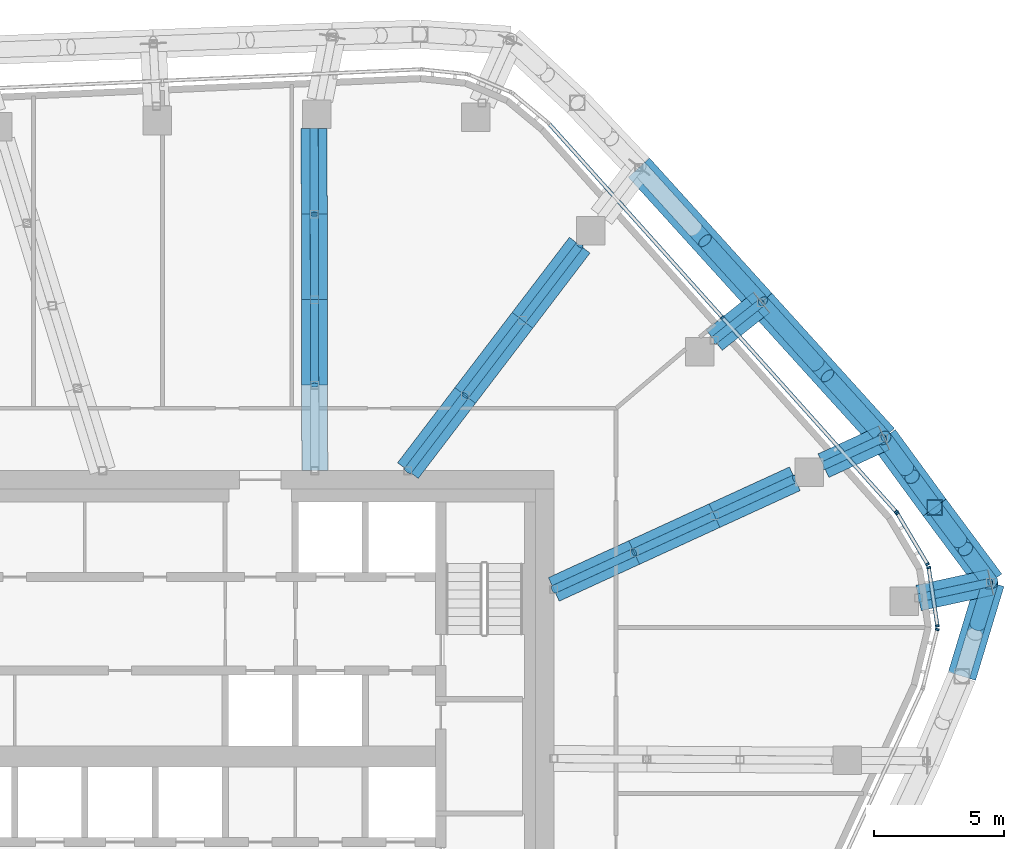
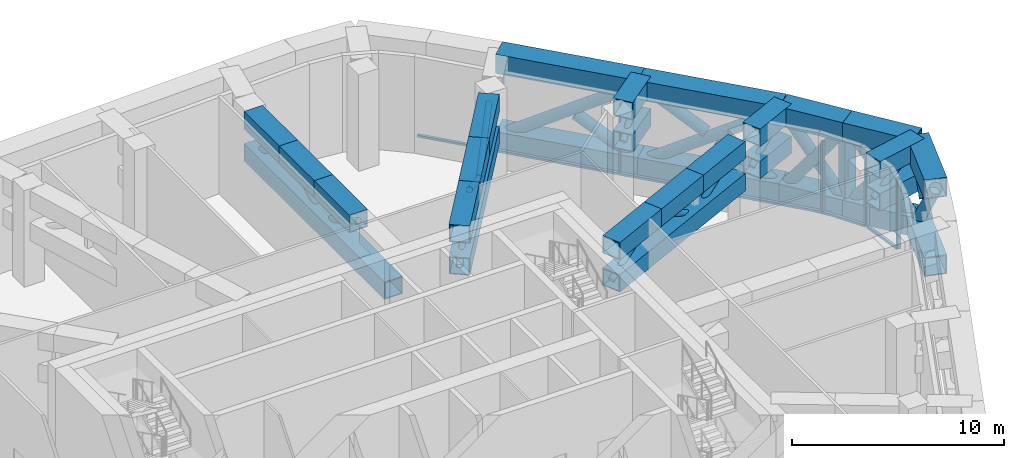
# One storey, part 8 of 31: 64 members, 2 elements without a shape of their own.
"""IFC4 building model written with IfcOpenShell, lengths in metres."""

from ifc_helpers import new_model, si_unit, direction, frame, origin, origin_2d, place, context, subcontext, project, spatial, rectangle, hollow_rectangle, hollow_circle, extrude, material, layer, layer_set, material_profile, profile_set, type_object, element, aggregate, save


model = new_model("IFC4")

# Units and contexts
model_context = context("Model", 3, precision=1e-05, world=origin(), true_north=direction((0.0, 1.0)))
body_context = subcontext(model_context, "Body", "Model", "MODEL_VIEW")
ifc_project = project(units=[si_unit("LENGTHUNIT", "METRE"), si_unit("AREAUNIT", "SQUARE_METRE"), si_unit("VOLUMEUNIT", "CUBIC_METRE"), si_unit("PLANEANGLEUNIT", "RADIAN"), si_unit("MASSUNIT", "GRAM", prefix="KILO")], contexts=[model_context])

# Site, building, storey
site_placement = place(None, origin())
site = spatial("IfcSite", under=ifc_project, at=site_placement, CompositionType="ELEMENT")
building_placement = place(site_placement, origin())
building = spatial("IfcBuilding", under=site, at=building_placement, Name="Dongbaek Canopy Tower", CompositionType="ELEMENT")
storey_placement = place(building_placement, frame((0.0, 0.0, 283.199951171875)))
storey = spatial("IfcBuildingStorey", under=building, at=storey_placement, Name="L60", CompositionType="ELEMENT", Elevation=283.199951171875)

# Members
ifc_material_1 = material(Name="Steel S355", Category="steel")
ifc_material_profile_1 = material_profile(ifc_material_1, hollow_circle(Radius=0.304931640625, WallThickness=0.01611328125, at=origin_2d()), Name="BELT BRACE CHS 610.0x16.0 Steel S355")
ifc_profile_set_1 = profile_set([ifc_material_profile_1], Name="Steel S355")
member_type_1 = type_object("IfcMemberType", Name="BELT BRACE CHS 610.0x16.0 Steel S355", PredefinedType="BRACE", material=ifc_profile_set_1)
member_1_placement = place(storey_placement, frame((17.275634765625, 22.666259765625, 0.550048828125), z_axis=(0.567079898999, -0.626019793214, 0.53527526251), x_axis=(0.741134522124, 0.671356552151, 0.0)))
element("IfcMember", 1, at=member_1_placement, inside=storey, type_object=member_type_1, Name="BELT:L60:18:D0:0", PredefinedType="BRACE", context=body_context, shape_type="SweptSolid", body=[
    extrude(hollow_circle(Radius=0.304931640625, WallThickness=0.01611328125, at=origin_2d()), origin(), (0.0, 0.0, 1.0), 8.3134765625),
])
member_2_placement = place(storey_placement, frame((21.989990234375, 17.4619140625, 0.550048828125), z_axis=(-0.567047259465, 0.626046765777, 0.535278294529), x_axis=(-0.741168140449, -0.671319437811, 0.0)))
element("IfcMember", 2, at=member_2_placement, inside=storey, type_object=member_type_1, Name="BELT:L60:18:D0:1", PredefinedType="BRACE", context=body_context, shape_type="SweptSolid", body=[
    extrude(hollow_circle(Radius=0.304931640625, WallThickness=0.01611328125, at=origin_2d()), origin(), (0.0, 0.0, 1.0), 3.8193359375),
])
member_3_placement = place(storey_placement, frame((21.989990234375, 17.4619140625, 0.550048828125), z_axis=(0.566949916113, -0.626100202636, 0.535318903905), x_axis=(0.741253988399, 0.671224645467, 0.0)))
element("IfcMember", 3, at=member_3_placement, inside=storey, type_object=member_type_1, Name="BELT:L60:19:D0:0", PredefinedType="BRACE", context=body_context, shape_type="SweptSolid", body=[
    extrude(hollow_circle(Radius=0.304931640625, WallThickness=0.01611328125, at=origin_2d()), origin(), (0.0, 0.0, 1.0), 8.312744140625),
])
for number, where, z_axis, x_axis, name in (
    (4, (26.702880859375, 12.25732421875, 0.550048828125), (-0.566960514059, 0.626092149588, 0.53531709829), (-0.741243449961, -0.671236283204, 0.0), "BELT:L60:19:D0:1"),
    (5, (21.989990234375, 17.4619140625, 5.0), (0.566960514059, -0.626092149588, -0.53531709829), (0.741243449961, 0.671236283204, 0.0), "BELT:L60:19:D0:2"),
):
    element("IfcMember", number, at=place(storey_placement, frame(where, z_axis=z_axis, x_axis=x_axis)), inside=storey, type_object=member_type_1, Name=name, PredefinedType="BRACE", context=body_context, shape_type="SweptSolid", body=[
        extrude(hollow_circle(Radius=0.304931640625, WallThickness=0.01611328125, at=origin_2d()), origin(), (0.0, 0.0, 1.0), 3.819091796875),
    ])
member_4_placement = place(storey_placement, frame((26.702880859375, 12.25732421875, 0.550048828125), z_axis=(0.352788435667, -0.482378801188, 0.801779902357), x_axis=(0.807167192956, 0.590322896909, 0.0)))
element("IfcMember", 6, at=member_4_placement, inside=storey, type_object=member_type_1, Name="BELT:L60:20:D0:0", PredefinedType="BRACE", context=body_context, shape_type="SweptSolid", body=[
    extrude(hollow_circle(Radius=0.304931640625, WallThickness=0.01611328125, at=origin_2d()), origin(), (0.0, 0.0, 1.0), 5.550048828125),
])
for number, where, z_axis, x_axis, name in (
    (7, (28.660888671875, 9.580078125, 0.550048828125), (-0.352790617016, 0.482379057745, 0.801778788192), (-0.807165603344, -0.590325070431, 0.0), "BELT:L60:20:D0:1"),
    (8, (26.702880859375, 12.25732421875, 5.0), (0.352790617016, -0.482379057745, -0.801778788192), (0.807165603344, 0.590325070431, 0.0), "BELT:L60:20:D0:2"),
):
    element("IfcMember", number, at=place(storey_placement, frame(where, z_axis=z_axis, x_axis=x_axis)), inside=storey, type_object=member_type_1, Name=name, PredefinedType="BRACE", context=body_context, shape_type="SweptSolid", body=[
        extrude(hollow_circle(Radius=0.304931640625, WallThickness=0.01611328125, at=origin_2d()), origin(), (0.0, 0.0, 1.0), 2.456787109375),
    ])
member_5_placement = place(storey_placement, frame((28.660888671875, 9.580078125, 0.550048828125), z_axis=(0.374919829141, -0.504047972504, 0.778055758369), x_axis=(0.802374731452, 0.596820567949, 0.0)))
element("IfcMember", 9, at=member_5_placement, inside=storey, type_object=member_type_1, Name="BELT:L60:20:D1:0", PredefinedType="BRACE", context=body_context, shape_type="SweptSolid", body=[
    extrude(hollow_circle(Radius=0.304931640625, WallThickness=0.01611328125, at=origin_2d()), origin(), (0.0, 0.0, 1.0), 5.71923828125),
])
for number, where, z_axis, x_axis, name in (
    (10, (30.80517578125, 6.697265625, 0.550048828125), (-0.374891707744, 0.504072183726, 0.778053623511), (-0.802409894951, -0.596773290693, 0.0), "BELT:L60:20:D1:1"),
    (11, (28.660888671875, 9.580078125, 5.0), (0.374974066037, -0.504054072925, -0.778025668836), (0.802336846269, 0.596871497995, 0.0), "BELT:L60:20:D1:2"),
):
    element("IfcMember", number, at=place(storey_placement, frame(where, z_axis=z_axis, x_axis=x_axis)), inside=storey, type_object=member_type_1, Name=name, PredefinedType="BRACE", context=body_context, shape_type="SweptSolid", body=[
        extrude(hollow_circle(Radius=0.304931640625, WallThickness=0.01611328125, at=origin_2d()), origin(), (0.0, 0.0, 1.0), 2.547607421875),
    ])
member_6_placement = place(storey_placement, frame((30.80517578125, 6.697265625, 0.550048828125), z_axis=(-0.187482302811, -0.619097441352, 0.762606546159), x_axis=(0.957077155683, -0.289833259081, 0.0)))
element("IfcMember", 12, at=member_6_placement, inside=storey, type_object=member_type_1, Name="BELT:L60:21:D0:0", PredefinedType="BRACE", context=body_context, shape_type="SweptSolid", body=[
    extrude(hollow_circle(Radius=0.304931640625, WallThickness=0.01611328125, at=origin_2d()), origin(), (0.0, 0.0, 1.0), 5.835205078125),
])
member_7_placement = place(storey_placement, frame((30.80517578125, 6.697265625, 5.0), z_axis=(-0.187477378206, -0.619059101076, -0.762638880491), x_axis=(0.957074288305, -0.289842727468, 0.0)))
element("IfcMember", 13, at=member_7_placement, inside=storey, type_object=member_type_1, Name="BELT:L60:21:D0:2", PredefinedType="BRACE", context=body_context, shape_type="SweptSolid", body=[
    extrude(hollow_circle(Radius=0.304931640625, WallThickness=0.01611328125, at=origin_2d()), origin(), (0.0, 0.0, 1.0), 2.6083984375),
])
ifc_material_2 = material(Name="Steel S355", Category="steel")
ifc_material_profile_2 = material_profile(ifc_material_2, hollow_rectangle(XDim=1.10009765625, YDim=1.10009765625, WallThickness=0.054931640625, at=origin_2d()), Name="BELT CHORD BOX 1100x1100x55 Steel S355")
ifc_profile_set_2 = profile_set([ifc_material_profile_2], Name="Steel S355")
member_type_2 = type_object("IfcMemberType", Name="BELT CHORD BOX 1100x1100x55 Steel S355", PredefinedType="CHORD", material=ifc_profile_set_2)
for number, where, z_axis, x_axis, name in (
    (14, (17.275634765625, 22.666259765625, 0.550048828125), (0.671356552151, -0.741134522124, 0.0), (0.741134522124, 0.671356552151, 0.0), "BELT:L60:18:CB0"),
    (15, (17.275634765625, 22.666259765625, 5.0), (0.671356552151, -0.741134522124, 0.0), (0.741134522124, 0.671356552151, 0.0), "BELT:L60:18:CT0"),
):
    element("IfcMember", number, at=place(storey_placement, frame(where, z_axis=z_axis, x_axis=x_axis)), inside=storey, type_object=member_type_2, Name=name, PredefinedType="CHORD", context=body_context, shape_type="SweptSolid", body=[
        extrude(hollow_rectangle(XDim=1.10009765625, YDim=1.10009765625, WallThickness=0.054931640625, at=origin_2d()), origin(), (0.0, 0.0, 1.0), 7.022216796875),
    ])
for number, where, z_axis, x_axis, name in (
    (16, (21.989990234375, 17.4619140625, 0.550048828125), (0.671224645467, -0.741253988399, 0.0), (0.741253988399, 0.671224645467, 0.0), "BELT:L60:19:CB0"),
    (17, (21.989990234375, 17.4619140625, 5.0), (0.671224645467, -0.741253988399, 0.0), (0.741253988399, 0.671224645467, 0.0), "BELT:L60:19:CT0"),
):
    element("IfcMember", number, at=place(storey_placement, frame(where, z_axis=z_axis, x_axis=x_axis)), inside=storey, type_object=member_type_2, Name=name, PredefinedType="CHORD", context=body_context, shape_type="SweptSolid", body=[
        extrude(hollow_rectangle(XDim=1.10009765625, YDim=1.10009765625, WallThickness=0.054931640625, at=origin_2d()), origin(), (0.0, 0.0, 1.0), 7.021240234375),
    ])
for number, where, z_axis, x_axis, name in (
    (18, (26.702880859375, 12.25732421875, 0.550048828125), (0.590322896909, -0.807167192956, 0.0), (0.807167192956, 0.590322896909, 0.0), "BELT:L60:20:CB0"),
    (19, (26.702880859375, 12.25732421875, 5.0), (0.590322896909, -0.807167192956, 0.0), (0.807167192956, 0.590322896909, 0.0), "BELT:L60:20:CT0"),
):
    element("IfcMember", number, at=place(storey_placement, frame(where, z_axis=z_axis, x_axis=x_axis)), inside=storey, type_object=member_type_2, Name=name, PredefinedType="CHORD", context=body_context, shape_type="SweptSolid", body=[
        extrude(hollow_rectangle(XDim=1.10009765625, YDim=1.10009765625, WallThickness=0.054931640625, at=origin_2d()), origin(), (0.0, 0.0, 1.0), 3.31689453125),
    ])
for number, where, z_axis, x_axis, name in (
    (20, (28.660888671875, 9.580078125, 0.550048828125), (0.596820567949, -0.802374731452, 0.0), (0.802374731452, 0.596820567949, 0.0), "BELT:L60:20:CB1"),
    (21, (28.660888671875, 9.580078125, 5.0), (0.596820567949, -0.802374731452, 0.0), (0.802374731452, 0.596820567949, 0.0), "BELT:L60:20:CT1"),
):
    element("IfcMember", number, at=place(storey_placement, frame(where, z_axis=z_axis, x_axis=x_axis)), inside=storey, type_object=member_type_2, Name=name, PredefinedType="CHORD", context=body_context, shape_type="SweptSolid", body=[
        extrude(hollow_rectangle(XDim=1.10009765625, YDim=1.10009765625, WallThickness=0.054931640625, at=origin_2d()), origin(), (0.0, 0.0, 1.0), 3.5927734375),
    ])
for number, where, z_axis, x_axis, name in (
    (22, (30.80517578125, 6.697265625, 0.550048828125), (-0.289833259081, -0.957077155683, 0.0), (0.957077155683, -0.289833259081, 0.0), "BELT:L60:21:CB0"),
    (23, (30.80517578125, 6.697265625, 5.0), (-0.289833259081, -0.957077155683, 0.0), (0.957077155683, -0.289833259081, 0.0), "BELT:L60:21:CT0"),
):
    element("IfcMember", number, at=place(storey_placement, frame(where, z_axis=z_axis, x_axis=x_axis)), inside=storey, type_object=member_type_2, Name=name, PredefinedType="CHORD", context=body_context, shape_type="SweptSolid", body=[
        extrude(hollow_rectangle(XDim=1.10009765625, YDim=1.10009765625, WallThickness=0.054931640625, at=origin_2d()), origin(), (0.0, 0.0, 1.0), 3.774658203125),
    ])
ifc_material_3 = material(Name="Steel S355", Category="steel")
ifc_material_profile_3 = material_profile(ifc_material_3, hollow_rectangle(XDim=0.60009765625, YDim=0.60009765625, WallThickness=0.031982421875, at=origin_2d()), Name="BELT POST BOX 600x600x32 Steel S355")
ifc_profile_set_3 = profile_set([ifc_material_profile_3], Name="Steel S355")
member_type_3 = type_object("IfcMemberType", Name="BELT POST BOX 600x600x32 Steel S355", PredefinedType="POST", material=ifc_profile_set_3)
member_8_placement = place(storey_placement, frame((28.660888671875, 9.580078125, 1.10009765625), z_axis=(0.0, 0.0, 1.0), x_axis=(1.0, 0.0, 0.0)))
element("IfcMember", 24, at=member_8_placement, inside=storey, type_object=member_type_3, Name="BELT:L60:20:P1", PredefinedType="POST", context=body_context, shape_type="SweptSolid", body=[
    extrude(hollow_rectangle(XDim=0.60009765625, YDim=0.60009765625, WallThickness=0.031982421875, at=origin_2d()), origin(), (0.0, 0.0, 1.0), 3.349853515625),
])
ifc_material_4 = material(Name="Steel S355", Category="steel")
ifc_material_profile_4 = material_profile(ifc_material_4, hollow_circle(Radius=0.1591796875, WallThickness=0.01025390625, at=origin_2d()), Name="BRACE CHS 318.5x10.3 Steel S355")
ifc_profile_set_4 = profile_set([ifc_material_profile_4], Name="Steel S355")
member_type_4 = type_object("IfcMemberType", Name="BRACE CHS 318.5x10.3 Steel S355", PredefinedType="BRACE", material=ifc_profile_set_4)
member_9_placement = place(storey_placement, frame((20.175048828125, 16.020751953125, 3.199951171875), z_axis=(0.612031502401, 0.485986273698, 0.623886834166), x_axis=(-0.621851741171, 0.783134989643, 0.0)))
element("IfcMember", 25, at=member_9_placement, inside=storey, type_object=member_type_4, Name="TRUSS:L60:19:D0", PredefinedType="BRACE", context=body_context, shape_type="SweptSolid", body=[
    extrude(hollow_circle(Radius=0.1591796875, WallThickness=0.01025390625, at=origin_2d()), origin(), (0.0, 0.0, 1.0), 2.96533203125),
])
member_10_placement = place(storey_placement, frame((28.0419921875, 6.0966796875, 3.199951171875), z_axis=(0.817712224065, 0.177732114437, 0.547501611059), x_axis=(-0.212393799501, 0.977184155589, 0.0)))
element("IfcMember", 26, at=member_10_placement, inside=storey, type_object=member_type_4, Name="TRUSS:L60:21:D0", PredefinedType="BRACE", context=body_context, shape_type="SweptSolid", body=[
    extrude(hollow_circle(Radius=0.1591796875, WallThickness=0.01025390625, at=origin_2d()), origin(), (0.0, 0.0, 1.0), 3.379150390625),
])
ifc_material_5 = material(Name="Steel S355", Category="steel")
ifc_material_profile_5 = material_profile(ifc_material_5, hollow_rectangle(XDim=1.0, YDim=1.0, WallThickness=0.050048828125, at=origin_2d()), Name="CHORD BOX 1000x1000x50 Steel S355")
ifc_profile_set_5 = profile_set([ifc_material_profile_5], Name="Steel S355")
member_type_5 = type_object("IfcMemberType", Name="CHORD BOX 1000x1000x50 Steel S355", PredefinedType="CHORD", material=ifc_profile_set_5)
for number, where, z_axis, x_axis, name in (
    (27, (20.175048828125, 16.020751953125, 3.199951171875), (0.783134989643, 0.621851741171, 0.0), (-0.621851741171, 0.783134989643, 0.0), "TRUSS:L60:19:CB"),
    (28, (20.175048828125, 16.020751953125, 5.050048828125), (0.783134989643, 0.621851741171, 0.0), (-0.621851741171, 0.783134989643, 0.0), "TRUSS:L60:19:CT0"),
):
    element("IfcMember", number, at=place(storey_placement, frame(where, z_axis=z_axis, x_axis=x_axis)), inside=storey, type_object=member_type_5, Name=name, PredefinedType="CHORD", context=body_context, shape_type="SweptSolid", body=[
        extrude(hollow_rectangle(XDim=1.0, YDim=1.0, WallThickness=0.050048828125, at=origin_2d()), origin(), (0.0, 0.0, 1.0), 2.317626953125),
    ])
for number, where, z_axis, x_axis, name in (
    (29, (28.0419921875, 6.0966796875, 3.199951171875), (0.977184155589, 0.212393799501, 0.0), (-0.212393799501, 0.977184155589, 0.0), "TRUSS:L60:21:CB"),
    (30, (28.0419921875, 6.0966796875, 5.050048828125), (0.977184155589, 0.212393799501, 0.0), (-0.212393799501, 0.977184155589, 0.0), "TRUSS:L60:21:CT0"),
):
    element("IfcMember", number, at=place(storey_placement, frame(where, z_axis=z_axis, x_axis=x_axis)), inside=storey, type_object=member_type_5, Name=name, PredefinedType="CHORD", context=body_context, shape_type="SweptSolid", body=[
        extrude(hollow_rectangle(XDim=1.0, YDim=1.0, WallThickness=0.050048828125, at=origin_2d()), origin(), (0.0, 0.0, 1.0), 2.82763671875),
    ])

# Curtain wall, members
ifc_material_6 = material(Name="Aluminium 6063-T6 pale anodised", Category="aluminium")
ifc_layer = layer(ifc_material_6, 0.14990234375)
ifc_layer_set = layer_set([ifc_layer], Name="CW-7 louvre curtain wall")
curtain_wall_type = type_object("IfcCurtainWallType", Name="CW-7 louvre curtain wall", PredefinedType="NOTDEFINED", material=ifc_layer_set)
curtain_wall_1_placement = place(storey_placement, origin())
curtain_wall_1 = element("IfcCurtainWall", 31, at=curtain_wall_1_placement, inside=storey, type_object=curtain_wall_type, Name="CW-7 louvre wall L60 K0", PredefinedType="NOTDEFINED")
ifc_material_7 = material(Name="Aluminium 6063-T6 pale anodised", Category="aluminium")
ifc_material_profile_6 = material_profile(ifc_material_7, rectangle(XDim=0.14990234375, YDim=0.080078125, at=origin_2d()), Name="CW-7 mullion 80 x 150")
ifc_profile_set_6 = profile_set([ifc_material_profile_6], Name="Aluminium 6063-T6 pale anodised")
member_type_6 = type_object("IfcMemberType", Name="CW-7 mullion 80 x 150", PredefinedType="MULLION", material=ifc_profile_set_6)
member_11_placement = place(storey_placement, frame((28.761962890625, 4.8857421875, 0.775146484375), z_axis=(0.0, 0.0, 1.0), x_axis=(0.971372002514, -0.237563534097, 0.0)))
member_11 = element("IfcMember", 32, at=member_11_placement, type_object=member_type_6, Name="CW-7 mullion L60 K0.1.2", PredefinedType="MULLION", context=body_context, shape_type="SweptSolid", body=[
    extrude(rectangle(XDim=0.14990234375, YDim=0.080078125, at=origin_2d()), origin(), (0.0, 0.0, 1.0), 4.0),
])
member_12_placement = place(storey_placement, frame((28.76806640625, 5.0205078125, 0.775146484375), z_axis=(0.0, 0.0, 1.0), x_axis=(0.989070752649, 0.147441670683, 0.0)))
member_12 = element("IfcMember", 33, at=member_12_placement, type_object=member_type_6, Name="CW-7 mullion L60 K0.2.1", PredefinedType="MULLION", context=body_context, shape_type="SweptSolid", body=[
    extrude(rectangle(XDim=0.14990234375, YDim=0.080078125, at=origin_2d()), origin(), (0.0, 0.0, 1.0), 4.0),
])
member_13_placement = place(storey_placement, frame((28.43310546875, 7.26904296875, 0.775146484375), z_axis=(0.0, 0.0, 1.0), x_axis=(0.989070752649, 0.147441670683, 0.0)))
member_13 = element("IfcMember", 34, at=member_13_placement, type_object=member_type_6, Name="CW-7 mullion L60 K0.2.2", PredefinedType="MULLION", context=body_context, shape_type="SweptSolid", body=[
    extrude(rectangle(XDim=0.14990234375, YDim=0.080078125, at=origin_2d()), origin(), (0.0, 0.0, 1.0), 4.0),
])
member_14_placement = place(storey_placement, frame((28.3876953125, 7.39599609375, 0.775146484375), z_axis=(0.0, 0.0, 1.0), x_axis=(0.859850704351, 0.510545557445, 0.0)))
member_14 = element("IfcMember", 35, at=member_14_placement, type_object=member_type_6, Name="CW-7 mullion L60 K0.3.1", PredefinedType="MULLION", context=body_context, shape_type="SweptSolid", body=[
    extrude(rectangle(XDim=0.14990234375, YDim=0.080078125, at=origin_2d()), origin(), (0.0, 0.0, 1.0), 4.0),
])
member_15_placement = place(storey_placement, frame((27.22216796875, 9.359130859375, 0.775146484375), z_axis=(0.0, 0.0, 1.0), x_axis=(0.859850704351, 0.510545557445, 0.0)))
member_15 = element("IfcMember", 36, at=member_15_placement, type_object=member_type_6, Name="CW-7 mullion L60 K0.3.2", PredefinedType="MULLION", context=body_context, shape_type="SweptSolid", body=[
    extrude(rectangle(XDim=0.14990234375, YDim=0.080078125, at=origin_2d()), origin(), (0.0, 0.0, 1.0), 4.0),
])

curtain_wall_2_placement = place(storey_placement, origin())
curtain_wall_2 = element("IfcCurtainWall", 37, at=curtain_wall_2_placement, inside=storey, type_object=curtain_wall_type, Name="CW-7 louvre wall L60 F0", PredefinedType="NOTDEFINED")
member_16_placement = place(storey_placement, frame((27.18212890625, 9.413818359375, 0.775146484375), z_axis=(0.0, 0.0, 1.0), x_axis=(0.745349003867, 0.666674480113, 0.0)))
member_16 = element("IfcMember", 38, at=member_16_placement, type_object=member_type_6, Name="CW-7 mullion L60 F0.1.1", PredefinedType="MULLION", context=body_context, shape_type="SweptSolid", body=[
    extrude(rectangle(XDim=0.14990234375, YDim=0.080078125, at=origin_2d()), origin(), (0.0, 0.0, 1.0), 4.0),
])
member_17_placement = place(storey_placement, frame((20.495361328125, 16.8896484375, 0.775146484375), z_axis=(0.0, 0.0, 1.0), x_axis=(0.745349003867, 0.666674480113, 0.0)))
member_17 = element("IfcMember", 39, at=member_17_placement, type_object=member_type_6, Name="CW-7 mullion L60 F0.1.2", PredefinedType="MULLION", context=body_context, shape_type="SweptSolid", body=[
    extrude(rectangle(XDim=0.14990234375, YDim=0.080078125, at=origin_2d()), origin(), (0.0, 0.0, 1.0), 4.0),
])

# Member
ifc_material_8 = material(Name="Aluminium 6063-T6 pale anodised", Category="aluminium")
ifc_material_profile_7 = material_profile(ifc_material_8, rectangle(XDim=0.14990234375, YDim=0.1201171875, at=origin_2d()), Name="CW-7 transom 120 x 150")
ifc_profile_set_7 = profile_set([ifc_material_profile_7], Name="Aluminium 6063-T6 pale anodised")
member_type_7 = type_object("IfcMemberType", Name="CW-7 transom 120 x 150", PredefinedType="USERDEFINED", material=ifc_profile_set_7)
member_18_placement = place(storey_placement, frame((28.76806640625, 5.0205078125, 0.715087890625), z_axis=(-0.147342598102, 0.989085516416, 0.0), x_axis=(-0.989085516416, -0.147342598102, 0.0)))
member_18 = element("IfcMember", 40, at=member_18_placement, type_object=member_type_7, Name="CW-7 transom L60 K0.2", ObjectType="TRANSOM", PredefinedType="USERDEFINED", context=body_context, shape_type="SweptSolid", body=[
    extrude(rectangle(XDim=0.14990234375, YDim=0.1201171875, at=origin_2d()), origin(), (0.0, 0.0, 1.0), 2.2734375),
])

member_19_placement = place(storey_placement, frame((28.3876953125, 7.39599609375, 0.715087890625), z_axis=(-0.51051157599, 0.859870880296, 0.0), x_axis=(-0.859870880296, -0.51051157599, 0.0)))
member_19 = element("IfcMember", 41, at=member_19_placement, type_object=member_type_7, Name="CW-7 transom L60 K0.3", ObjectType="TRANSOM", PredefinedType="USERDEFINED", context=body_context, shape_type="SweptSolid", body=[
    extrude(rectangle(XDim=0.14990234375, YDim=0.1201171875, at=origin_2d()), origin(), (0.0, 0.0, 1.0), 2.282958984375),
])

aggregate(curtain_wall_1, [member_11, member_18, member_12, member_13, member_19, member_14, member_15])

member_20_placement = place(storey_placement, frame((27.18212890625, 9.413818359375, 0.715087890625), z_axis=(-0.666677454506, 0.745346343422, 0.0), x_axis=(-0.745346343422, -0.666677454506, 0.0)))
member_20 = element("IfcMember", 42, at=member_20_placement, type_object=member_type_7, Name="CW-7 transom L60 F0.1", ObjectType="TRANSOM", PredefinedType="USERDEFINED", context=body_context, shape_type="SweptSolid", body=[
    extrude(rectangle(XDim=0.14990234375, YDim=0.1201171875, at=origin_2d()), origin(), (0.0, 0.0, 1.0), 20.060302734375),
])

aggregate(curtain_wall_2, [member_20, member_16, member_17])

# Members
ifc_material_9 = material(Name="Steel S355", Category="steel")
ifc_material_profile_8 = material_profile(ifc_material_9, hollow_circle(Radius=0.1591796875, WallThickness=0.01025390625, at=origin_2d()), Name="OUTRIGGER BRACE CHS 318.5x10.3 Steel S355")
ifc_profile_set_8 = profile_set([ifc_material_profile_8], Name="Steel S355")
member_type_8 = type_object("IfcMemberType", Name="OUTRIGGER BRACE CHS 318.5x10.3 Steel S355", PredefinedType="BRACE", material=ifc_profile_set_8)
for number, where, z_axis, x_axis, name in (
    (43, (4.793701171875, 14.291015625, 5.050048828125), (-0.00174598369, 0.871698523662, -0.490039422278), (-0.999997994067, -0.002002963341, 0.0), "TRUSS:L60:16:D1"),
    (44, (4.787109375, 17.58203125, 3.199951171875), (-0.001681317814, 0.871698620259, 0.490039476582), (-0.999998139903, -0.001928779795, 0.0), "TRUSS:L60:16:D2"),
    (45, (4.78076171875, 20.873046875, 5.050048828125), (-0.001681317814, 0.871698620259, -0.490039476582), (-0.999998139903, -0.001928779795, 0.0), "TRUSS:L60:16:D3"),
):
    element("IfcMember", number, at=place(storey_placement, frame(where, z_axis=z_axis, x_axis=x_axis)), inside=storey, type_object=member_type_8, Name=name, PredefinedType="BRACE", context=body_context, shape_type="SweptSolid", body=[
        extrude(hollow_circle(Radius=0.1591796875, WallThickness=0.01025390625, at=origin_2d()), origin(), (0.0, 0.0, 1.0), 3.775390625),
    ])
member_21_placement = place(storey_placement, frame((8.3837890625, 11.0, 3.199951171875), z_axis=(0.540319730439, 0.708900443502, 0.453337346908), x_axis=(-0.79532077807, 0.606188798948, 0.0)))
element("IfcMember", 46, at=member_21_placement, inside=storey, type_object=member_type_8, Name="TRUSS:L60:18:D0", PredefinedType="BRACE", context=body_context, shape_type="SweptSolid", body=[
    extrude(hollow_circle(Radius=0.1591796875, WallThickness=0.01025390625, at=origin_2d()), origin(), (0.0, 0.0, 1.0), 4.0810546875),
])
member_22_placement = place(storey_placement, frame((10.5888671875, 13.89306640625, 5.050048828125), z_axis=(0.540300284846, 0.708893597071, -0.453371227834), x_axis=(-0.795328473521, 0.606178702369, 0.0)))
element("IfcMember", 47, at=member_22_placement, inside=storey, type_object=member_type_8, Name="TRUSS:L60:18:D1", PredefinedType="BRACE", context=body_context, shape_type="SweptSolid", body=[
    extrude(hollow_circle(Radius=0.1591796875, WallThickness=0.01025390625, at=origin_2d()), origin(), (0.0, 0.0, 1.0), 4.080810546875),
])
member_23_placement = place(storey_placement, frame((12.793701171875, 16.785888671875, 3.199951171875), z_axis=(0.540319730439, 0.708900443502, 0.453337346908), x_axis=(-0.79532077807, 0.606188798948, 0.0)))
element("IfcMember", 48, at=member_23_placement, inside=storey, type_object=member_type_8, Name="TRUSS:L60:18:D2", PredefinedType="BRACE", context=body_context, shape_type="SweptSolid", body=[
    extrude(hollow_circle(Radius=0.1591796875, WallThickness=0.01025390625, at=origin_2d()), origin(), (0.0, 0.0, 1.0), 4.0810546875),
])
member_24_placement = place(storey_placement, frame((14.0, 6.42626953125, 3.199951171875), z_axis=(0.798509498977, 0.366550643588, 0.47751775436), x_axis=(-0.417188053508, 0.908820184641, 0.0)))
element("IfcMember", 49, at=member_24_placement, inside=storey, type_object=member_type_8, Name="TRUSS:L60:20:D0", PredefinedType="BRACE", context=body_context, shape_type="SweptSolid", body=[
    extrude(hollow_circle(Radius=0.1591796875, WallThickness=0.01025390625, at=origin_2d()), origin(), (0.0, 0.0, 1.0), 3.87451171875),
])
for number, where, z_axis, x_axis, name in (
    (50, (17.09375, 7.846435546875, 5.050048828125), (0.798486662189, 0.366569087993, -0.477541782501), (-0.417215247186, 0.908807701065, 0.0), "TRUSS:L60:20:D1"),
    (51, (20.187255859375, 9.2666015625, 3.199951171875), (0.798527941771, 0.366496094487, 0.47752878336), (-0.41712881444, 0.908847375616, 0.0), "TRUSS:L60:20:D2"),
):
    element("IfcMember", number, at=place(storey_placement, frame(where, z_axis=z_axis, x_axis=x_axis)), inside=storey, type_object=member_type_8, Name=name, PredefinedType="BRACE", context=body_context, shape_type="SweptSolid", body=[
        extrude(hollow_circle(Radius=0.1591796875, WallThickness=0.01025390625, at=origin_2d()), origin(), (0.0, 0.0, 1.0), 3.874267578125),
    ])
member_25_placement = place(storey_placement, frame((24.381103515625, 11.19140625, 3.199951171875), z_axis=(0.736064275188, 0.337923935381, 0.586529450828), x_axis=(-0.417227182014, 0.908802221932, 0.0)))
element("IfcMember", 52, at=member_25_placement, inside=storey, type_object=member_type_8, Name="TRUSS:L60:20s:D0", PredefinedType="BRACE", context=body_context, shape_type="SweptSolid", body=[
    extrude(hollow_circle(Radius=0.1591796875, WallThickness=0.01025390625, at=origin_2d()), origin(), (0.0, 0.0, 1.0), 3.154296875),
])
ifc_material_10 = material(Name="Steel S355", Category="steel")
ifc_material_profile_9 = material_profile(ifc_material_10, hollow_rectangle(XDim=1.0, YDim=1.0, WallThickness=0.050048828125, at=origin_2d()), Name="OUTRIGGER CHORD BOX 1000x1000x50 Steel S355")
ifc_profile_set_9 = profile_set([ifc_material_profile_9], Name="Steel S355")
member_type_9 = type_object("IfcMemberType", Name="OUTRIGGER CHORD BOX 1000x1000x50 Steel S355", PredefinedType="CHORD", material=ifc_profile_set_9)
member_26_placement = place(storey_placement, frame((4.800048828125, 11.0, 3.199951171875), z_axis=(-0.001947325685, 0.99999810396, 0.0), x_axis=(-0.99999810396, -0.001947325685, 0.0)))
element("IfcMember", 53, at=member_26_placement, inside=storey, type_object=member_type_9, Name="TRUSS:L60:16:CB", PredefinedType="CHORD", context=body_context, shape_type="SweptSolid", body=[
    extrude(hollow_rectangle(XDim=1.0, YDim=1.0, WallThickness=0.050048828125, at=origin_2d()), origin(), (0.0, 0.0, 1.0), 13.1640625),
])
for number, where, z_axis, x_axis, name in (
    (54, (4.793701171875, 14.291015625, 5.050048828125), (-0.002002963341, 0.999997994067, 0.0), (-0.999997994067, -0.002002963341, 0.0), "TRUSS:L60:16:CT1"),
    (55, (4.787109375, 17.58203125, 5.050048828125), (-0.001928779795, 0.999998139903, 0.0), (-0.999998139903, -0.001928779795, 0.0), "TRUSS:L60:16:CT2"),
    (56, (4.78076171875, 20.873046875, 5.050048828125), (-0.001928779795, 0.999998139903, 0.0), (-0.999998139903, -0.001928779795, 0.0), "TRUSS:L60:16:CT3"),
):
    element("IfcMember", number, at=place(storey_placement, frame(where, z_axis=z_axis, x_axis=x_axis)), inside=storey, type_object=member_type_9, Name=name, PredefinedType="CHORD", context=body_context, shape_type="SweptSolid", body=[
        extrude(hollow_rectangle(XDim=1.0, YDim=1.0, WallThickness=0.050048828125, at=origin_2d()), origin(), (0.0, 0.0, 1.0), 3.291015625),
    ])
member_27_placement = place(storey_placement, frame((8.3837890625, 11.0, 3.199951171875), z_axis=(0.606185433643, 0.795323343074, 0.0), x_axis=(-0.795323343074, 0.606185433643, 0.0)))
element("IfcMember", 57, at=member_27_placement, inside=storey, type_object=member_type_9, Name="TRUSS:L60:18:CB", PredefinedType="CHORD", context=body_context, shape_type="SweptSolid", body=[
    extrude(hollow_rectangle(XDim=1.0, YDim=1.0, WallThickness=0.050048828125, at=origin_2d()), origin(), (0.0, 0.0, 1.0), 10.91259765625),
])
member_28_placement = place(storey_placement, frame((8.3837890625, 11.0, 5.050048828125), z_axis=(0.606188798948, 0.79532077807, 0.0), x_axis=(-0.79532077807, 0.606188798948, 0.0)))
element("IfcMember", 58, at=member_28_placement, inside=storey, type_object=member_type_9, Name="TRUSS:L60:18:CT0", PredefinedType="CHORD", context=body_context, shape_type="SweptSolid", body=[
    extrude(hollow_rectangle(XDim=1.0, YDim=1.0, WallThickness=0.050048828125, at=origin_2d()), origin(), (0.0, 0.0, 1.0), 3.6376953125),
])
member_29_placement = place(storey_placement, frame((10.5888671875, 13.89306640625, 5.050048828125), z_axis=(0.606178702369, 0.795328473521, 0.0), x_axis=(-0.795328473521, 0.606178702369, 0.0)))
element("IfcMember", 59, at=member_29_placement, inside=storey, type_object=member_type_9, Name="TRUSS:L60:18:CT1", PredefinedType="CHORD", context=body_context, shape_type="SweptSolid", body=[
    extrude(hollow_rectangle(XDim=1.0, YDim=1.0, WallThickness=0.050048828125, at=origin_2d()), origin(), (0.0, 0.0, 1.0), 3.63720703125),
])
member_30_placement = place(storey_placement, frame((12.793701171875, 16.785888671875, 5.050048828125), z_axis=(0.606188798948, 0.79532077807, 0.0), x_axis=(-0.79532077807, 0.606188798948, 0.0)))
element("IfcMember", 60, at=member_30_placement, inside=storey, type_object=member_type_9, Name="TRUSS:L60:18:CT2", PredefinedType="CHORD", context=body_context, shape_type="SweptSolid", body=[
    extrude(hollow_rectangle(XDim=1.0, YDim=1.0, WallThickness=0.050048828125, at=origin_2d()), origin(), (0.0, 0.0, 1.0), 3.6376953125),
])
member_31_placement = place(storey_placement, frame((14.0, 6.42626953125, 3.199951171875), z_axis=(0.908825087979, 0.417177371702, 0.0), x_axis=(-0.417177371702, 0.908825087979, 0.0)))
element("IfcMember", 61, at=member_31_placement, inside=storey, type_object=member_type_9, Name="TRUSS:L60:20:CB", PredefinedType="CHORD", context=body_context, shape_type="SweptSolid", body=[
    extrude(hollow_rectangle(XDim=1.0, YDim=1.0, WallThickness=0.050048828125, at=origin_2d()), origin(), (0.0, 0.0, 1.0), 10.212158203125),
])
member_32_placement = place(storey_placement, frame((14.0, 6.42626953125, 5.050048828125), z_axis=(0.908820184641, 0.417188053508, 0.0), x_axis=(-0.417188053508, 0.908820184641, 0.0)))
element("IfcMember", 62, at=member_32_placement, inside=storey, type_object=member_type_9, Name="TRUSS:L60:20:CT0", PredefinedType="CHORD", context=body_context, shape_type="SweptSolid", body=[
    extrude(hollow_rectangle(XDim=1.0, YDim=1.0, WallThickness=0.050048828125, at=origin_2d()), origin(), (0.0, 0.0, 1.0), 3.404052734375),
])
member_33_placement = place(storey_placement, frame((17.09375, 7.846435546875, 5.050048828125), z_axis=(0.908807701065, 0.417215247186, 0.0), x_axis=(-0.417215247186, 0.908807701065, 0.0)))
element("IfcMember", 63, at=member_33_placement, inside=storey, type_object=member_type_9, Name="TRUSS:L60:20:CT1", PredefinedType="CHORD", context=body_context, shape_type="SweptSolid", body=[
    extrude(hollow_rectangle(XDim=1.0, YDim=1.0, WallThickness=0.050048828125, at=origin_2d()), origin(), (0.0, 0.0, 1.0), 3.40380859375),
])
member_34_placement = place(storey_placement, frame((20.187255859375, 9.2666015625, 5.050048828125), z_axis=(0.908847375616, 0.41712881444, 0.0), x_axis=(-0.41712881444, 0.908847375616, 0.0)))
element("IfcMember", 64, at=member_34_placement, inside=storey, type_object=member_type_9, Name="TRUSS:L60:20:CT2", PredefinedType="CHORD", context=body_context, shape_type="SweptSolid", body=[
    extrude(hollow_rectangle(XDim=1.0, YDim=1.0, WallThickness=0.050048828125, at=origin_2d()), origin(), (0.0, 0.0, 1.0), 3.404052734375),
])
for number, where, z_axis, x_axis, name in (
    (65, (24.381103515625, 11.19140625, 3.199951171875), (0.908802221932, 0.417227182014, 0.0), (-0.417227182014, 0.908802221932, 0.0), "TRUSS:L60:20s:CB"),
    (66, (24.381103515625, 11.19140625, 5.050048828125), (0.908802221932, 0.417227182014, 0.0), (-0.417227182014, 0.908802221932, 0.0), "TRUSS:L60:20s:CT0"),
):
    element("IfcMember", number, at=place(storey_placement, frame(where, z_axis=z_axis, x_axis=x_axis)), inside=storey, type_object=member_type_9, Name=name, PredefinedType="CHORD", context=body_context, shape_type="SweptSolid", body=[
        extrude(hollow_rectangle(XDim=1.0, YDim=1.0, WallThickness=0.050048828125, at=origin_2d()), origin(), (0.0, 0.0, 1.0), 2.5546875),
    ])

save(model, "model.ifc")
